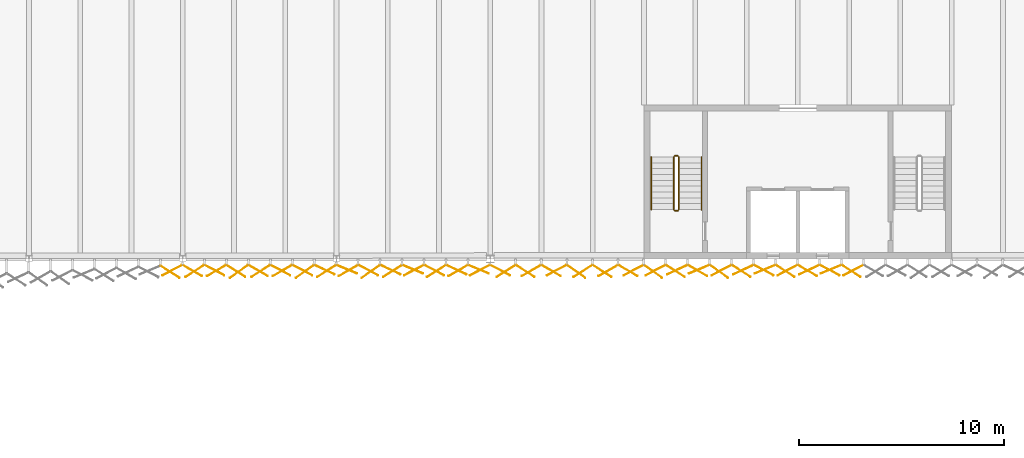
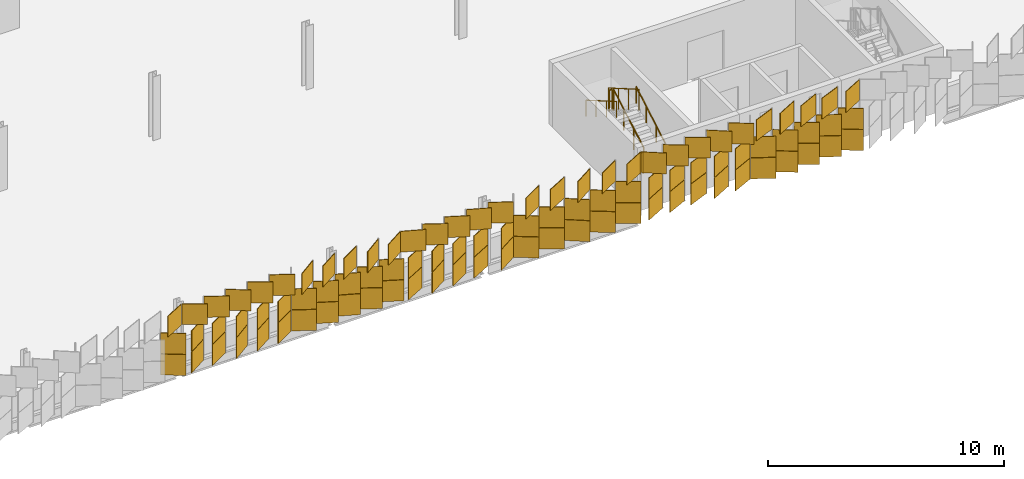
# One storey, part 182 of 198: 93 coverings, 6 railings.
"""IFC4 building model written with IfcOpenShell, lengths in metres."""

from ifc_helpers import new_model, si_unit, direction, frame, origin, origin_2d, place, context, subcontext, project, spatial, rectangle, circle, extrude, material, layer, layer_set, type_object, element, save


model = new_model("IFC4")

# Units and contexts
model_context = context("Model", 3, precision=1e-05, world=origin(), true_north=direction((0.0, 1.0)))
body_context = subcontext(model_context, "Body", "Model", "MODEL_VIEW")
ifc_project = project(units=[si_unit("LENGTHUNIT", "METRE"), si_unit("AREAUNIT", "SQUARE_METRE"), si_unit("VOLUMEUNIT", "CUBIC_METRE"), si_unit("PLANEANGLEUNIT", "RADIAN"), si_unit("MASSUNIT", "GRAM", prefix="KILO")], contexts=[model_context])

# Site, building, storey
site_placement = place(None, origin())
site = spatial("IfcSite", under=ifc_project, at=site_placement, CompositionType="ELEMENT")
building_placement = place(site_placement, origin())
building = spatial("IfcBuilding", under=site, at=building_placement, Name="Parallax Yard Mobility Hub", CompositionType="ELEMENT")
storey_placement = place(building_placement, frame((0.0, 0.0, 6.60009765625)))
storey = spatial("IfcBuildingStorey", under=building, at=storey_placement, Name="L02", CompositionType="ELEMENT", Elevation=6.60009765625)

# Coverings
ifc_material_1 = material(Name="Aluminium panel, champagne finish", Category="aluminium")
ifc_layer_1 = layer(ifc_material_1, 0.030029296875)
ifc_layer_set_1 = layer_set([ifc_layer_1], Name="Skin panel 22.5 degree turn, champagne finish")
covering_type_1 = type_object("IfcCoveringType", Name="Skin panel 22.5 degree turn, champagne finish", PredefinedType="CLADDING", material=ifc_layer_set_1)
for number, where, z_axis, x_axis, name in (
    (1, (53.000732421875, 111.987060546875, 1.119873046875), (0.0, 0.0, 1.0), (0.923879532511, -0.382683432365, 0.0), "Skin panel 22.5 bay 4.1 row 2 level L02"),
    (2, (56.21533203125, 111.987060546875, 2.219970703125), (0.0, 0.0, 1.0), (0.923879532511, -0.382683432365, 0.0), "Skin panel 22.5 bay 4.4 row 3 level L02"),
    (3, (59.4296875, 111.987060546875, 2.219970703125), (0.0, 0.0, 1.0), (0.923879532511, -0.382683432365, 0.0), "Skin panel 22.5 bay 4.7 row 3 level L02"),
    (4, (70.185546875, 111.987060546875, 1.119873046875), (0.0, 0.0, 1.0), (-0.923879532511, -0.382683432365, 0.0), "Skin panel 22.5 bay 6.3 row 2 level L02"),
    (5, (73.402099609375, 111.987060546875, 2.219970703125), (0.0, 0.0, 1.0), (-0.923879532511, -0.382683432365, 0.0), "Skin panel 22.5 bay 6.6 row 3 level L02"),
    (6, (76.618896484375, 111.987060546875, 2.219970703125), (0.0, 0.0, 1.0), (-0.923879532511, -0.382683432365, 0.0), "Skin panel 22.5 bay 6.9 row 3 level L02"),
):
    element("IfcCovering", number, at=place(storey_placement, frame(where, z_axis=z_axis, x_axis=x_axis)), inside=storey, type_object=covering_type_1, Name=name, ObjectType="SCREEN", PredefinedType="CLADDING", context=body_context, shape_type="SweptSolid", body=[
        extrude(rectangle(XDim=1.080078125, YDim=0.030029296875, at=origin_2d()), origin(), (0.0, 0.0, 1.0), 1.080078125),
    ])
ifc_material_2 = material(Name="Aluminium panel, light oak finish", Category="aluminium")
ifc_layer_2 = layer(ifc_material_2, 0.030029296875)
ifc_layer_set_2 = layer_set([ifc_layer_2], Name="Skin panel 22.5 degree turn, oak finish")
covering_type_2 = type_object("IfcCoveringType", Name="Skin panel 22.5 degree turn, oak finish", PredefinedType="CLADDING", material=ifc_layer_set_2)
for number, where, z_axis, x_axis, name in (
    (7, (53.000732421875, 111.987060546875, 0.019775390625), (0.0, 0.0, 1.0), (0.923879532511, -0.382683432365, 0.0), "Skin panel 22.5 bay 4.1 row 1 level L02"),
    (8, (70.185546875, 111.987060546875, 0.019775390625), (0.0, 0.0, 1.0), (-0.923879532511, -0.382683432365, 0.0), "Skin panel 22.5 bay 6.3 row 1 level L02"),
):
    element("IfcCovering", number, at=place(storey_placement, frame(where, z_axis=z_axis, x_axis=x_axis)), inside=storey, type_object=covering_type_2, Name=name, ObjectType="SCREEN", PredefinedType="CLADDING", context=body_context, shape_type="SweptSolid", body=[
        extrude(rectangle(XDim=1.080078125, YDim=0.030029296875, at=origin_2d()), origin(), (0.0, 0.0, 1.0), 1.080078125),
    ])
ifc_layer_3 = layer(ifc_material_1, 0.030029296875)
ifc_layer_set_3 = layer_set([ifc_layer_3], Name="Skin panel 25 degree turn, champagne finish")
covering_type_3 = type_object("IfcCoveringType", Name="Skin panel 25 degree turn, champagne finish", PredefinedType="CLADDING", material=ifc_layer_set_3)
for number, where, z_axis, x_axis, name in (
    (9, (51.91943359375, 111.96484375, 1.119873046875), (0.0, 0.0, 1.0), (0.906307787037, -0.422618261741, 0.0), "Skin panel 25 bay 3.7 row 2 level L02"),
    (10, (55.134033203125, 111.96484375, 1.119873046875), (0.0, 0.0, 1.0), (0.906307787037, -0.422618261741, 0.0), "Skin panel 25 bay 4.3 row 2 level L02"),
    (11, (58.3486328125, 111.96484375, 2.219970703125), (0.0, 0.0, 1.0), (0.906307787037, -0.422618261741, 0.0), "Skin panel 25 bay 4.6 row 3 level L02"),
    (12, (69.123046875, 111.96484375, 1.119873046875), (0.0, 0.0, 1.0), (-0.906307787037, -0.422618261741, 0.0), "Skin panel 25 bay 6.2 row 2 level L02"),
    (13, (72.339599609375, 111.96484375, 1.119873046875), (0.0, 0.0, 1.0), (-0.906307787037, -0.422618261741, 0.0), "Skin panel 25 bay 6.5 row 2 level L02"),
    (14, (75.556396484375, 111.96484375, 2.219970703125), (0.0, 0.0, 1.0), (-0.906307787037, -0.422618261741, 0.0), "Skin panel 25 bay 6.8 row 3 level L02"),
):
    element("IfcCovering", number, at=place(storey_placement, frame(where, z_axis=z_axis, x_axis=x_axis)), inside=storey, type_object=covering_type_3, Name=name, ObjectType="SCREEN", PredefinedType="CLADDING", context=body_context, shape_type="SweptSolid", body=[
        extrude(rectangle(XDim=1.080078125, YDim=0.030029296875, at=origin_2d()), origin(), (0.0, 0.0, 1.0), 1.080078125),
    ])
ifc_layer_4 = layer(ifc_material_2, 0.030029296875)
ifc_layer_set_4 = layer_set([ifc_layer_4], Name="Skin panel 25 degree turn, oak finish")
covering_type_4 = type_object("IfcCoveringType", Name="Skin panel 25 degree turn, oak finish", PredefinedType="CLADDING", material=ifc_layer_set_4)
for number, where, z_axis, x_axis, name in (
    (15, (51.91943359375, 111.96484375, 0.019775390625), (0.0, 0.0, 1.0), (0.906307787037, -0.422618261741, 0.0), "Skin panel 25 bay 3.7 row 1 level L02"),
    (16, (55.134033203125, 111.96484375, 0.019775390625), (0.0, 0.0, 1.0), (0.906307787037, -0.422618261741, 0.0), "Skin panel 25 bay 4.3 row 1 level L02"),
    (17, (69.123046875, 111.96484375, 0.019775390625), (0.0, 0.0, 1.0), (-0.906307787037, -0.422618261741, 0.0), "Skin panel 25 bay 6.2 row 1 level L02"),
    (18, (72.339599609375, 111.96484375, 0.019775390625), (0.0, 0.0, 1.0), (-0.906307787037, -0.422618261741, 0.0), "Skin panel 25 bay 6.5 row 1 level L02"),
):
    element("IfcCovering", number, at=place(storey_placement, frame(where, z_axis=z_axis, x_axis=x_axis)), inside=storey, type_object=covering_type_4, Name=name, ObjectType="SCREEN", PredefinedType="CLADDING", context=body_context, shape_type="SweptSolid", body=[
        extrude(rectangle(XDim=1.080078125, YDim=0.030029296875, at=origin_2d()), origin(), (0.0, 0.0, 1.0), 1.080078125),
    ])
ifc_layer_5 = layer(ifc_material_1, 0.030029296875)
ifc_layer_set_5 = layer_set([ifc_layer_5], Name="Skin panel 27.5 degree turn, champagne finish")
covering_type_5 = type_object("IfcCoveringType", Name="Skin panel 27.5 degree turn, champagne finish", PredefinedType="CLADDING", material=ifc_layer_set_5)
for number, where, z_axis, x_axis, name in (
    (19, (44.492919921875, 111.943115234375, 2.219970703125), (0.0, 0.0, 1.0), (-0.887010833178, -0.461748613235, 0.0), "Skin panel 27.5 bay 2.7 row 3 level L02"),
    (20, (46.55126953125, 111.943115234375, 2.219970703125), (0.0, 0.0, 1.0), (0.887010833178, -0.461748613235, 0.0), "Skin panel 27.5 bay 3.2 row 3 level L02"),
    (21, (49.765869140625, 111.943115234375, 2.219970703125), (0.0, 0.0, 1.0), (0.887010833178, -0.461748613235, 0.0), "Skin panel 27.5 bay 3.5 row 3 level L02"),
    (22, (50.83740234375, 111.943115234375, 1.119873046875), (0.0, 0.0, 1.0), (0.887010833178, -0.461748613235, 0.0), "Skin panel 27.5 bay 3.6 row 2 level L02"),
    (23, (54.0517578125, 111.943115234375, 1.119873046875), (0.0, 0.0, 1.0), (0.887010833178, -0.461748613235, 0.0), "Skin panel 27.5 bay 4.2 row 2 level L02"),
    (24, (56.279296875, 111.943115234375, 1.119873046875), (0.0, 0.0, 1.0), (-0.887010833178, -0.461748613235, 0.0), "Skin panel 27.5 bay 4.4 row 2 level L02"),
    (25, (57.266357421875, 111.943115234375, 2.219970703125), (0.0, 0.0, 1.0), (0.887010833178, -0.461748613235, 0.0), "Skin panel 27.5 bay 4.5 row 3 level L02"),
    (26, (59.493896484375, 111.943115234375, 1.119873046875), (0.0, 0.0, 1.0), (-0.887010833178, -0.461748613235, 0.0), "Skin panel 27.5 bay 4.7 row 2 level L02"),
    (27, (60.480712890625, 111.943115234375, 2.219970703125), (0.0, 0.0, 1.0), (0.887010833178, -0.461748613235, 0.0), "Skin panel 27.5 bay 5.1 row 3 level L02"),
    (28, (63.24169921875, 111.943115234375, 2.219970703125), (0.0, 0.0, 1.0), (-0.887010833178, -0.461748613235, 0.0), "Skin panel 27.5 bay 5.3 row 3 level L02"),
    (29, (66.989501953125, 111.943115234375, 2.219970703125), (0.0, 0.0, 1.0), (-0.887010833178, -0.461748613235, 0.0), "Skin panel 27.5 bay 5.6 row 3 level L02"),
    (30, (68.0615234375, 111.943115234375, 1.119873046875), (0.0, 0.0, 1.0), (-0.887010833178, -0.461748613235, 0.0), "Skin panel 27.5 bay 6.1 row 2 level L02"),
    (31, (71.2783203125, 111.943115234375, 1.119873046875), (0.0, 0.0, 1.0), (-0.887010833178, -0.461748613235, 0.0), "Skin panel 27.5 bay 6.4 row 2 level L02"),
    (32, (73.33740234375, 111.943115234375, 1.119873046875), (0.0, 0.0, 1.0), (0.887010833178, -0.461748613235, 0.0), "Skin panel 27.5 bay 6.6 row 2 level L02"),
    (33, (74.494873046875, 111.943115234375, 2.219970703125), (0.0, 0.0, 1.0), (-0.887010833178, -0.461748613235, 0.0), "Skin panel 27.5 bay 6.7 row 3 level L02"),
    (34, (76.55419921875, 111.943115234375, 1.119873046875), (0.0, 0.0, 1.0), (0.887010833178, -0.461748613235, 0.0), "Skin panel 27.5 bay 6.9 row 2 level L02"),
    (35, (77.71142578125, 111.943115234375, 2.219970703125), (0.0, 0.0, 1.0), (-0.887010833178, -0.461748613235, 0.0), "Skin panel 27.5 bay 6.10 row 3 level L02"),
):
    element("IfcCovering", number, at=place(storey_placement, frame(where, z_axis=z_axis, x_axis=x_axis)), inside=storey, type_object=covering_type_5, Name=name, ObjectType="SCREEN", PredefinedType="CLADDING", context=body_context, shape_type="SweptSolid", body=[
        extrude(rectangle(XDim=1.080078125, YDim=0.030029296875, at=origin_2d()), origin(), (0.0, 0.0, 1.0), 1.080078125),
    ])
ifc_layer_6 = layer(ifc_material_2, 0.030029296875)
ifc_layer_set_6 = layer_set([ifc_layer_6], Name="Skin panel 27.5 degree turn, oak finish")
covering_type_6 = type_object("IfcCoveringType", Name="Skin panel 27.5 degree turn, oak finish", PredefinedType="CLADDING", material=ifc_layer_set_6)
for number, where, z_axis, x_axis, name in (
    (36, (50.83740234375, 111.943115234375, 0.019775390625), (0.0, 0.0, 1.0), (0.887010833178, -0.461748613235, 0.0), "Skin panel 27.5 bay 3.6 row 1 level L02"),
    (37, (54.0517578125, 111.943115234375, 0.019775390625), (0.0, 0.0, 1.0), (0.887010833178, -0.461748613235, 0.0), "Skin panel 27.5 bay 4.2 row 1 level L02"),
    (38, (56.279296875, 111.943115234375, 0.019775390625), (0.0, 0.0, 1.0), (-0.887010833178, -0.461748613235, 0.0), "Skin panel 27.5 bay 4.4 row 1 level L02"),
    (39, (59.493896484375, 111.943115234375, 0.019775390625), (0.0, 0.0, 1.0), (-0.887010833178, -0.461748613235, 0.0), "Skin panel 27.5 bay 4.7 row 1 level L02"),
    (40, (68.0615234375, 111.943115234375, 0.019775390625), (0.0, 0.0, 1.0), (-0.887010833178, -0.461748613235, 0.0), "Skin panel 27.5 bay 6.1 row 1 level L02"),
    (41, (71.2783203125, 111.943115234375, 0.019775390625), (0.0, 0.0, 1.0), (-0.887010833178, -0.461748613235, 0.0), "Skin panel 27.5 bay 6.4 row 1 level L02"),
    (42, (73.33740234375, 111.943115234375, 0.019775390625), (0.0, 0.0, 1.0), (0.887010833178, -0.461748613235, 0.0), "Skin panel 27.5 bay 6.6 row 1 level L02"),
    (43, (76.55419921875, 111.943115234375, 0.019775390625), (0.0, 0.0, 1.0), (0.887010833178, -0.461748613235, 0.0), "Skin panel 27.5 bay 6.9 row 1 level L02"),
):
    element("IfcCovering", number, at=place(storey_placement, frame(where, z_axis=z_axis, x_axis=x_axis)), inside=storey, type_object=covering_type_6, Name=name, ObjectType="SCREEN", PredefinedType="CLADDING", context=body_context, shape_type="SweptSolid", body=[
        extrude(rectangle(XDim=1.080078125, YDim=0.030029296875, at=origin_2d()), origin(), (0.0, 0.0, 1.0), 1.080078125),
    ])
ifc_layer_7 = layer(ifc_material_1, 0.030029296875)
ifc_layer_set_7 = layer_set([ifc_layer_7], Name="Skin panel 30 degree turn, champagne finish")
covering_type_7 = type_object("IfcCoveringType", Name="Skin panel 30 degree turn, champagne finish", PredefinedType="CLADDING", material=ifc_layer_set_7)
for number, where, z_axis, x_axis, name in (
    (44, (45.468017578125, 111.921875, 2.219970703125), (0.0, 0.0, 1.0), (0.866025403784, -0.5, 0.0), "Skin panel 30 bay 3.1 row 3 level L02"),
    (45, (46.6474609375, 111.921875, 1.119873046875), (0.0, 0.0, 1.0), (-0.866025403784, -0.5, 0.0), "Skin panel 30 bay 3.2 row 2 level L02"),
    (46, (48.6826171875, 111.921875, 2.219970703125), (0.0, 0.0, 1.0), (0.866025403784, -0.5, 0.0), "Skin panel 30 bay 3.4 row 3 level L02"),
    (47, (49.862060546875, 111.921875, 1.119873046875), (0.0, 0.0, 1.0), (-0.866025403784, -0.5, 0.0), "Skin panel 30 bay 3.5 row 2 level L02"),
    (48, (53.076416015625, 111.921875, 2.219970703125), (0.0, 0.0, 1.0), (-0.866025403784, -0.5, 0.0), "Skin panel 30 bay 4.1 row 3 level L02"),
    (49, (58.43408203125, 111.921875, 1.119873046875), (0.0, 0.0, 1.0), (-0.866025403784, -0.5, 0.0), "Skin panel 30 bay 4.6 row 2 level L02"),
    (50, (62.00390625, 111.921875, 2.219970703125), (0.0, 0.0, 1.0), (-0.866025403784, -0.5, 0.0), "Skin panel 30 bay 5.2 row 3 level L02"),
    (51, (62.9677734375, 111.921875, 1.119873046875), (0.0, 0.0, 1.0), (0.866025403784, -0.5, 0.0), "Skin panel 30 bay 5.3 row 2 level L02"),
    (52, (65.751708984375, 111.921875, 2.219970703125), (0.0, 0.0, 1.0), (-0.866025403784, -0.5, 0.0), "Skin panel 30 bay 5.5 row 3 level L02"),
    (53, (66.71533203125, 111.921875, 1.119873046875), (0.0, 0.0, 1.0), (0.866025403784, -0.5, 0.0), "Skin panel 30 bay 5.6 row 2 level L02"),
    (54, (70.109130859375, 111.921875, 2.219970703125), (0.0, 0.0, 1.0), (0.866025403784, -0.5, 0.0), "Skin panel 30 bay 6.3 row 3 level L02"),
    (55, (75.47021484375, 111.921875, 1.119873046875), (0.0, 0.0, 1.0), (0.866025403784, -0.5, 0.0), "Skin panel 30 bay 6.8 row 2 level L02"),
):
    element("IfcCovering", number, at=place(storey_placement, frame(where, z_axis=z_axis, x_axis=x_axis)), inside=storey, type_object=covering_type_7, Name=name, ObjectType="SCREEN", PredefinedType="CLADDING", context=body_context, shape_type="SweptSolid", body=[
        extrude(rectangle(XDim=1.080078125, YDim=0.030029296875, at=origin_2d()), origin(), (0.0, 0.0, 1.0), 1.080078125),
    ])
ifc_layer_8 = layer(ifc_material_2, 0.030029296875)
ifc_layer_set_8 = layer_set([ifc_layer_8], Name="Skin panel 30 degree turn, oak finish")
covering_type_8 = type_object("IfcCoveringType", Name="Skin panel 30 degree turn, oak finish", PredefinedType="CLADDING", material=ifc_layer_set_8)
for number, where, z_axis, x_axis, name in (
    (56, (46.6474609375, 111.921875, 0.019775390625), (0.0, 0.0, 1.0), (-0.866025403784, -0.5, 0.0), "Skin panel 30 bay 3.2 row 1 level L02"),
    (57, (49.862060546875, 111.921875, 0.019775390625), (0.0, 0.0, 1.0), (-0.866025403784, -0.5, 0.0), "Skin panel 30 bay 3.5 row 1 level L02"),
    (58, (58.43408203125, 111.921875, 0.019775390625), (0.0, 0.0, 1.0), (-0.866025403784, -0.5, 0.0), "Skin panel 30 bay 4.6 row 1 level L02"),
    (59, (62.9677734375, 111.921875, 0.019775390625), (0.0, 0.0, 1.0), (0.866025403784, -0.5, 0.0), "Skin panel 30 bay 5.3 row 1 level L02"),
    (60, (66.71533203125, 111.921875, 0.019775390625), (0.0, 0.0, 1.0), (0.866025403784, -0.5, 0.0), "Skin panel 30 bay 5.6 row 1 level L02"),
    (61, (75.47021484375, 111.921875, 0.019775390625), (0.0, 0.0, 1.0), (0.866025403784, -0.5, 0.0), "Skin panel 30 bay 6.8 row 1 level L02"),
):
    element("IfcCovering", number, at=place(storey_placement, frame(where, z_axis=z_axis, x_axis=x_axis)), inside=storey, type_object=covering_type_8, Name=name, ObjectType="SCREEN", PredefinedType="CLADDING", context=body_context, shape_type="SweptSolid", body=[
        extrude(rectangle(XDim=1.080078125, YDim=0.030029296875, at=origin_2d()), origin(), (0.0, 0.0, 1.0), 1.080078125),
    ])
ifc_layer_9 = layer(ifc_material_1, 0.030029296875)
ifc_layer_set_9 = layer_set([ifc_layer_9], Name="Skin panel 32.5 degree turn, champagne finish")
covering_type_9 = type_object("IfcCoveringType", Name="Skin panel 32.5 degree turn, champagne finish", PredefinedType="CLADDING", material=ifc_layer_set_9)
for number, where, z_axis, x_axis, name in (
    (62, (44.384033203125, 111.860107421875, 1.119873046875), (0.0, 0.0, 1.0), (0.843391445813, -0.537299608347, 0.0), "Skin panel 32.5 bay 2.7 row 2 level L02"),
    (63, (45.588623046875, 111.901123046875, 1.119873046875), (0.0, 0.0, 1.0), (-0.843391445813, -0.537299608347, 0.0), "Skin panel 32.5 bay 3.1 row 2 level L02"),
    (64, (47.598388671875, 111.901123046875, 2.219970703125), (0.0, 0.0, 1.0), (0.843391445813, -0.537299608347, 0.0), "Skin panel 32.5 bay 3.3 row 3 level L02"),
    (65, (48.802978515625, 111.901123046875, 1.119873046875), (0.0, 0.0, 1.0), (-0.843391445813, -0.537299608347, 0.0), "Skin panel 32.5 bay 3.4 row 2 level L02"),
    (66, (52.017578125, 111.901123046875, 2.219970703125), (0.0, 0.0, 1.0), (-0.843391445813, -0.537299608347, 0.0), "Skin panel 32.5 bay 3.7 row 3 level L02"),
    (67, (55.232177734375, 111.901123046875, 2.219970703125), (0.0, 0.0, 1.0), (-0.843391445813, -0.537299608347, 0.0), "Skin panel 32.5 bay 4.3 row 3 level L02"),
    (68, (57.375, 111.901123046875, 1.119873046875), (0.0, 0.0, 1.0), (-0.843391445813, -0.537299608347, 0.0), "Skin panel 32.5 bay 4.5 row 2 level L02"),
    (69, (60.767333984375, 111.901123046875, 1.119873046875), (0.0, 0.0, 1.0), (-0.843391445813, -0.537299608347, 0.0), "Skin panel 32.5 bay 5.1 row 2 level L02"),
    (70, (61.705810546875, 111.901123046875, 1.119873046875), (0.0, 0.0, 1.0), (0.843391445813, -0.537299608347, 0.0), "Skin panel 32.5 bay 5.2 row 2 level L02"),
    (71, (64.51513671875, 111.901123046875, 2.219970703125), (0.0, 0.0, 1.0), (-0.843391445813, -0.537299608347, 0.0), "Skin panel 32.5 bay 5.4 row 3 level L02"),
    (72, (65.45361328125, 111.901123046875, 1.119873046875), (0.0, 0.0, 1.0), (0.843391445813, -0.537299608347, 0.0), "Skin panel 32.5 bay 5.5 row 2 level L02"),
    (73, (69.0244140625, 111.901123046875, 2.219970703125), (0.0, 0.0, 1.0), (0.843391445813, -0.537299608347, 0.0), "Skin panel 32.5 bay 6.2 row 3 level L02"),
    (74, (72.240966796875, 111.901123046875, 2.219970703125), (0.0, 0.0, 1.0), (0.843391445813, -0.537299608347, 0.0), "Skin panel 32.5 bay 6.5 row 3 level L02"),
    (75, (74.385498046875, 111.901123046875, 1.119873046875), (0.0, 0.0, 1.0), (0.843391445813, -0.537299608347, 0.0), "Skin panel 32.5 bay 6.7 row 2 level L02"),
    (76, (77.60205078125, 111.901123046875, 1.119873046875), (0.0, 0.0, 1.0), (0.843391445813, -0.537299608347, 0.0), "Skin panel 32.5 bay 6.10 row 2 level L02"),
):
    element("IfcCovering", number, at=place(storey_placement, frame(where, z_axis=z_axis, x_axis=x_axis)), inside=storey, type_object=covering_type_9, Name=name, ObjectType="SCREEN", PredefinedType="CLADDING", context=body_context, shape_type="SweptSolid", body=[
        extrude(rectangle(XDim=1.080078125, YDim=0.030029296875, at=origin_2d()), origin(), (0.0, 0.0, 1.0), 1.080078125),
    ])
ifc_layer_10 = layer(ifc_material_2, 0.030029296875)
ifc_layer_set_10 = layer_set([ifc_layer_10], Name="Skin panel 32.5 degree turn, oak finish")
covering_type_10 = type_object("IfcCoveringType", Name="Skin panel 32.5 degree turn, oak finish", PredefinedType="CLADDING", material=ifc_layer_set_10)
for number, where, z_axis, x_axis, name in (
    (77, (44.384033203125, 111.860107421875, 0.019775390625), (0.0, 0.0, 1.0), (0.843391445813, -0.537299608347, 0.0), "Skin panel 32.5 bay 2.7 row 1 level L02"),
    (78, (45.588623046875, 111.901123046875, 0.019775390625), (0.0, 0.0, 1.0), (-0.843391445813, -0.537299608347, 0.0), "Skin panel 32.5 bay 3.1 row 1 level L02"),
    (79, (48.802978515625, 111.901123046875, 0.019775390625), (0.0, 0.0, 1.0), (-0.843391445813, -0.537299608347, 0.0), "Skin panel 32.5 bay 3.4 row 1 level L02"),
    (80, (57.375, 111.901123046875, 0.019775390625), (0.0, 0.0, 1.0), (-0.843391445813, -0.537299608347, 0.0), "Skin panel 32.5 bay 4.5 row 1 level L02"),
    (81, (60.767333984375, 111.901123046875, 0.019775390625), (0.0, 0.0, 1.0), (-0.843391445813, -0.537299608347, 0.0), "Skin panel 32.5 bay 5.1 row 1 level L02"),
    (82, (61.705810546875, 111.901123046875, 0.019775390625), (0.0, 0.0, 1.0), (0.843391445813, -0.537299608347, 0.0), "Skin panel 32.5 bay 5.2 row 1 level L02"),
    (83, (65.45361328125, 111.901123046875, 0.019775390625), (0.0, 0.0, 1.0), (0.843391445813, -0.537299608347, 0.0), "Skin panel 32.5 bay 5.5 row 1 level L02"),
    (84, (74.385498046875, 111.901123046875, 0.019775390625), (0.0, 0.0, 1.0), (0.843391445813, -0.537299608347, 0.0), "Skin panel 32.5 bay 6.7 row 1 level L02"),
    (85, (77.60205078125, 111.901123046875, 0.019775390625), (0.0, 0.0, 1.0), (0.843391445813, -0.537299608347, 0.0), "Skin panel 32.5 bay 6.10 row 1 level L02"),
):
    element("IfcCovering", number, at=place(storey_placement, frame(where, z_axis=z_axis, x_axis=x_axis)), inside=storey, type_object=covering_type_10, Name=name, ObjectType="SCREEN", PredefinedType="CLADDING", context=body_context, shape_type="SweptSolid", body=[
        extrude(rectangle(XDim=1.080078125, YDim=0.030029296875, at=origin_2d()), origin(), (0.0, 0.0, 1.0), 1.080078125),
    ])
ifc_layer_11 = layer(ifc_material_1, 0.030029296875)
ifc_layer_set_11 = layer_set([ifc_layer_11], Name="Skin panel 35 degree turn, champagne finish")
covering_type_11 = type_object("IfcCoveringType", Name="Skin panel 35 degree turn, champagne finish", PredefinedType="CLADDING", material=ifc_layer_set_11)
for number, where, z_axis, x_axis, name in (
    (86, (47.7451171875, 111.880859375, 1.119873046875), (0.0, 0.0, 1.0), (-0.819152044289, -0.573576436351, 0.0), "Skin panel 35 bay 3.3 row 2 level L02"),
    (87, (50.959716796875, 111.880859375, 2.219970703125), (0.0, 0.0, 1.0), (-0.819152044289, -0.573576436351, 0.0), "Skin panel 35 bay 3.6 row 3 level L02"),
    (88, (54.174072265625, 111.880859375, 2.219970703125), (0.0, 0.0, 1.0), (-0.819152044289, -0.573576436351, 0.0), "Skin panel 35 bay 4.2 row 3 level L02"),
    (89, (64.19091796875, 111.880859375, 1.119873046875), (0.0, 0.0, 1.0), (0.819152044289, -0.573576436351, 0.0), "Skin panel 35 bay 5.4 row 2 level L02"),
    (90, (67.938720703125, 111.880859375, 2.219970703125), (0.0, 0.0, 1.0), (0.819152044289, -0.573576436351, 0.0), "Skin panel 35 bay 6.1 row 3 level L02"),
    (91, (71.1552734375, 111.880859375, 2.219970703125), (0.0, 0.0, 1.0), (0.819152044289, -0.573576436351, 0.0), "Skin panel 35 bay 6.4 row 3 level L02"),
):
    element("IfcCovering", number, at=place(storey_placement, frame(where, z_axis=z_axis, x_axis=x_axis)), inside=storey, type_object=covering_type_11, Name=name, ObjectType="SCREEN", PredefinedType="CLADDING", context=body_context, shape_type="SweptSolid", body=[
        extrude(rectangle(XDim=1.080078125, YDim=0.030029296875, at=origin_2d()), origin(), (0.0, 0.0, 1.0), 1.080078125),
    ])
ifc_layer_12 = layer(ifc_material_2, 0.030029296875)
ifc_layer_set_12 = layer_set([ifc_layer_12], Name="Skin panel 35 degree turn, oak finish")
covering_type_12 = type_object("IfcCoveringType", Name="Skin panel 35 degree turn, oak finish", PredefinedType="CLADDING", material=ifc_layer_set_12)
for number, where, z_axis, x_axis, name in (
    (92, (47.7451171875, 111.880859375, 0.019775390625), (0.0, 0.0, 1.0), (-0.819152044289, -0.573576436351, 0.0), "Skin panel 35 bay 3.3 row 1 level L02"),
    (93, (64.19091796875, 111.880859375, 0.019775390625), (0.0, 0.0, 1.0), (0.819152044289, -0.573576436351, 0.0), "Skin panel 35 bay 5.4 row 1 level L02"),
):
    element("IfcCovering", number, at=place(storey_placement, frame(where, z_axis=z_axis, x_axis=x_axis)), inside=storey, type_object=covering_type_12, Name=name, ObjectType="SCREEN", PredefinedType="CLADDING", context=body_context, shape_type="SweptSolid", body=[
        extrude(rectangle(XDim=1.080078125, YDim=0.030029296875, at=origin_2d()), origin(), (0.0, 0.0, 1.0), 1.080078125),
    ])

# Railings
ifc_material_3 = material(Name="Steel ASTM A36", Category="steel")
railing_type_1 = type_object("IfcRailingType", Name="Stair guard 1100", PredefinedType="GUARDRAIL", material=ifc_material_3)
railing_1_placement = place(storey_placement, frame((69.199951171875, 114.89990234375, 0.164794921875)))
element("IfcRailing", 94, at=railing_1_placement, inside=storey, type_object=railing_type_1, Name="L02 ST4 stair guard 1", PredefinedType="GUARDRAIL", context=body_context, shape_type="SweptSolid", body=[
    extrude(circle(Radius=0.02392578125, at=origin_2d()), frame((0.0, 0.0, 1.076171875), z_axis=(0.0, 0.865426285481, 0.501036270542), x_axis=(-1.0, 0.0, 0.0)), (0.0, 0.0, 1.0), 2.964111328125),
    extrude(circle(Radius=0.02099609375, at=origin_2d()), origin(), (0.0, 0.0, 1.0), 1.052001953125),
    extrude(circle(Radius=0.02099609375, at=origin_2d()), frame((0.0, 0.85498046875, 0.4951171875)), (0.0, 0.0, 1.0), 1.052001953125),
    extrude(circle(Radius=0.02099609375, at=origin_2d()), frame((0.0, 1.710205078125, 0.989990234375)), (0.0, 0.0, 1.0), 1.052001953125),
    extrude(circle(Radius=0.02099609375, at=origin_2d()), frame((0.0, 2.565185546875, 1.485107421875)), (0.0, 0.0, 1.0), 1.052001953125),
])
railing_2_placement = place(storey_placement, frame((69.14990234375, 117.514892578125, 1.64990234375)))
element("IfcRailing", 95, at=railing_2_placement, inside=storey, type_object=railing_type_1, Name="L02 ST4 stair guard 2", PredefinedType="GUARDRAIL", context=body_context, shape_type="SweptSolid", body=[
    extrude(circle(Radius=0.02392578125, at=origin_2d()), frame((0.0, 0.0, 1.076171875), z_axis=(-1.0, 0.0, 0.0), x_axis=(0.0, -1.0, 0.0)), (0.0, 0.0, 1.0), 0.14990234375),
    extrude(circle(Radius=0.02099609375, at=origin_2d()), origin(), (0.0, 0.0, 1.0), 1.052001953125),
    extrude(circle(Radius=0.02099609375, at=origin_2d()), frame((-0.14990234375, 0.0, 0.0)), (0.0, 0.0, 1.0), 1.052001953125),
])
railing_3_placement = place(storey_placement, frame((68.949951171875, 117.465087890625, 1.81494140625)))
element("IfcRailing", 96, at=railing_3_placement, inside=storey, type_object=railing_type_1, Name="L02 ST4 stair guard 3", PredefinedType="GUARDRAIL", context=body_context, shape_type="SweptSolid", body=[
    extrude(circle(Radius=0.02392578125, at=origin_2d()), frame((0.0, 0.0, 1.076171875), z_axis=(0.0, -0.865461999751, 0.500974577186), x_axis=(1.0, 0.0, 0.0)), (0.0, 0.0, 1.0), 2.9638671875),
    extrude(circle(Radius=0.02099609375, at=origin_2d()), origin(), (0.0, 0.0, 1.0), 1.052001953125),
    extrude(circle(Radius=0.02099609375, at=origin_2d()), frame((0.0, -0.85498046875, 0.494873046875)), (0.0, 0.0, 1.0), 1.052001953125),
    extrude(circle(Radius=0.02099609375, at=origin_2d()), frame((0.0, -1.710205078125, 0.989990234375)), (0.0, 0.0, 1.0), 1.052001953125),
    extrude(circle(Radius=0.02099609375, at=origin_2d()), frame((0.0, -2.565185546875, 1.48486328125)), (0.0, 0.0, 1.0), 1.052001953125),
])
railing_4_placement = place(storey_placement, frame((69.14990234375, 114.85009765625, 0.0)))
element("IfcRailing", 97, at=railing_4_placement, inside=storey, type_object=railing_type_1, Name="L02 ST4 stair guard 4", PredefinedType="GUARDRAIL", context=body_context, shape_type="SweptSolid", body=[
    extrude(circle(Radius=0.02392578125, at=origin_2d()), frame((0.0, 0.0, 1.076171875), z_axis=(-1.0, 0.0, 0.0), x_axis=(0.0, -1.0, 0.0)), (0.0, 0.0, 1.0), 0.14990234375),
    extrude(circle(Radius=0.02099609375, at=origin_2d()), origin(), (0.0, 0.0, 1.0), 1.052001953125),
    extrude(circle(Radius=0.02099609375, at=origin_2d()), frame((-0.14990234375, 0.0, 0.0)), (0.0, 0.0, 1.0), 1.052001953125),
])
railing_type_2 = type_object("IfcRailingType", Name="Stair handrail", PredefinedType="HANDRAIL", material=ifc_material_3)
railing_5_placement = place(storey_placement, frame((70.300048828125, 114.89990234375, 0.164794921875)))
element("IfcRailing", 98, at=railing_5_placement, inside=storey, type_object=railing_type_2, Name="L02 ST4 stair handrail 1", PredefinedType="HANDRAIL", context=body_context, shape_type="SweptSolid", body=[
    extrude(circle(Radius=0.02392578125, at=origin_2d()), frame((0.0, 0.0, 0.8310546875), z_axis=(0.0, 0.865426285481, 0.501036270542), x_axis=(-1.0, 0.0, 0.0)), (0.0, 0.0, 1.0), 2.964111328125),
    extrude(circle(Radius=0.02099609375, at=origin_2d()), origin(), (0.0, 0.0, 1.0), 0.806884765625),
    extrude(circle(Radius=0.02099609375, at=origin_2d()), frame((0.0, 0.85498046875, 0.4951171875)), (0.0, 0.0, 1.0), 0.806884765625),
    extrude(circle(Radius=0.02099609375, at=origin_2d()), frame((0.0, 1.710205078125, 0.989990234375)), (0.0, 0.0, 1.0), 0.806884765625),
    extrude(circle(Radius=0.02099609375, at=origin_2d()), frame((0.0, 2.565185546875, 1.485107421875)), (0.0, 0.0, 1.0), 0.806884765625),
])
railing_6_placement = place(storey_placement, frame((67.85009765625, 117.465087890625, 1.81494140625)))
element("IfcRailing", 99, at=railing_6_placement, inside=storey, type_object=railing_type_2, Name="L02 ST4 stair handrail 2", PredefinedType="HANDRAIL", context=body_context, shape_type="SweptSolid", body=[
    extrude(circle(Radius=0.02392578125, at=origin_2d()), frame((0.0, 0.0, 0.8310546875), z_axis=(0.0, -0.865461999751, 0.500974577186), x_axis=(1.0, 0.0, 0.0)), (0.0, 0.0, 1.0), 2.9638671875),
    extrude(circle(Radius=0.02099609375, at=origin_2d()), origin(), (0.0, 0.0, 1.0), 0.806884765625),
    extrude(circle(Radius=0.02099609375, at=origin_2d()), frame((0.0, -0.85498046875, 0.494873046875)), (0.0, 0.0, 1.0), 0.806884765625),
    extrude(circle(Radius=0.02099609375, at=origin_2d()), frame((0.0, -1.710205078125, 0.989990234375)), (0.0, 0.0, 1.0), 0.806884765625),
    extrude(circle(Radius=0.02099609375, at=origin_2d()), frame((0.0, -2.565185546875, 1.48486328125)), (0.0, 0.0, 1.0), 0.806884765625),
])

save(model, "model.ifc")
